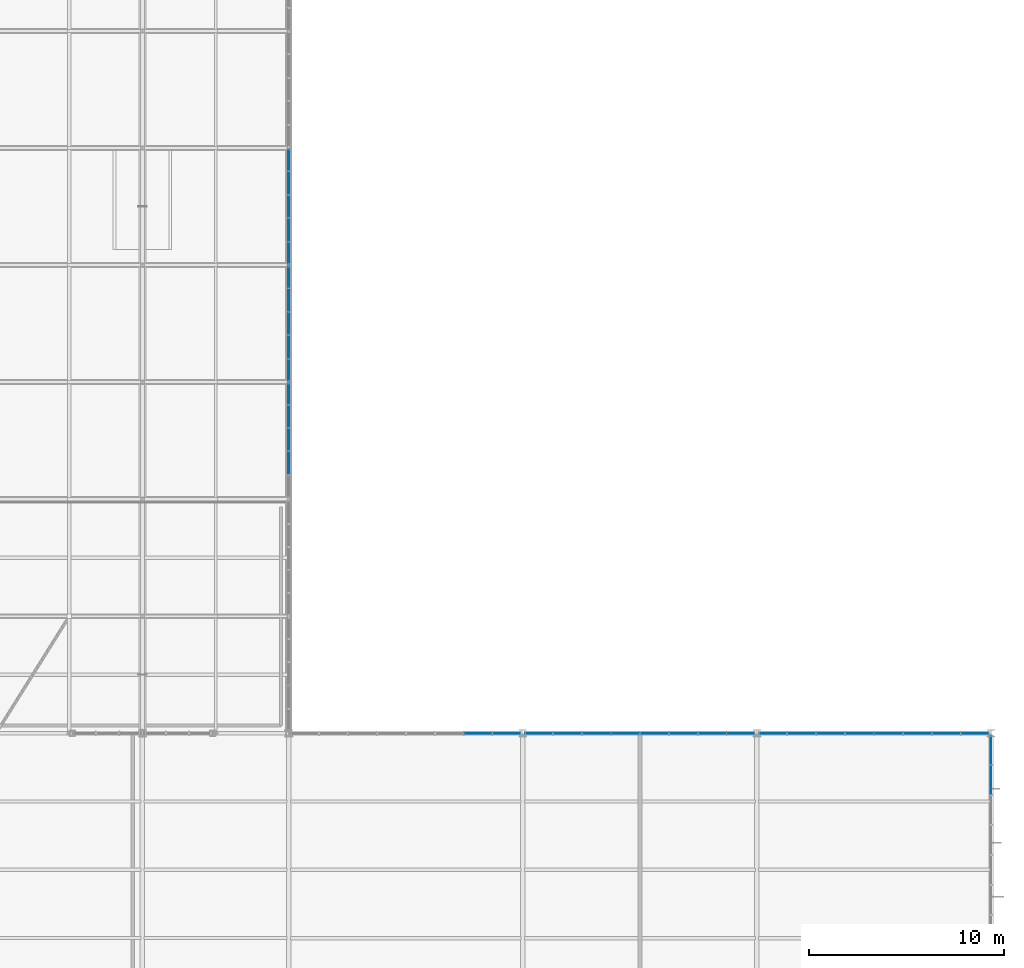
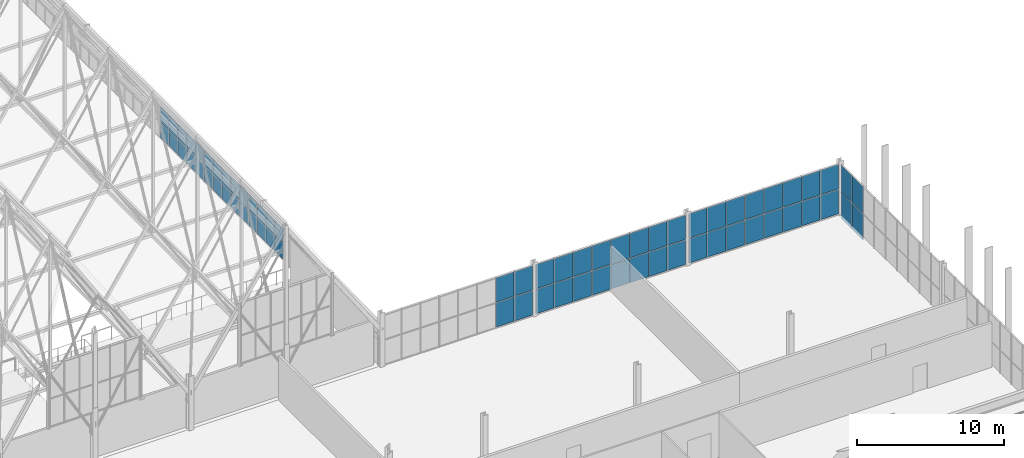
# One storey, part 285 of 324: 68 plates, 7 elements without a shape of their own.
"""IFC4 building model written with IfcOpenShell, lengths in metres."""

import ifcopenshell
import ifcopenshell.guid

model = None  # the IFC model being written
_history = None  # IfcOwnerHistory: only IFC2X3 demands one
_inside = {}  # id of a spatial element -> (the spatial element, [elements in it])
_under = {}  # id of a project, library or spatial element -> (it, [spatial elements below it])
_declared = {}  # id of a project -> (the project, [libraries it declares])
_typed = {}  # id of a type object -> (the type object, [elements of that type])
_made_of = {}  # id of a material, layer set ... -> (it, [elements and type objects made of it])


def new_model(schema):
    """Start an empty IFC model of exactly this schema.

    Asked for "IFC4X3", IfcOpenShell would pick the latest addendum, in which some entities
    have other attributes; the version numbers below select the first issue.
    IFC2X3 requires an IfcOwnerHistory on every rooted entity: one is made here for all.
    """
    global model, _history
    if schema == "IFC4X3":
        model = ifcopenshell.file(schema_version=(4, 3, 0, 0))
    else:
        model = ifcopenshell.file(schema=schema)
    _inside.clear()
    _under.clear()
    _declared.clear()
    _typed.clear()
    _made_of.clear()
    _history = None
    if model.schema == "IFC2X3":
        org = make("IfcOrganization", Name="unknown")
        user = make(
            "IfcPersonAndOrganization",
            ThePerson=make("IfcPerson", FamilyName="unknown"),
            TheOrganization=org,
        )
        app = make(
            "IfcApplication",
            ApplicationDeveloper=org,
            Version="unknown",
            ApplicationFullName="unknown",
            ApplicationIdentifier="unknown",
        )
        _history = make(
            "IfcOwnerHistory",
            OwningUser=user,
            OwningApplication=app,
            ChangeAction="ADDED",
            CreationDate=0,
        )
    return model


def make(cls, **values):
    """One entity of the class cls with the attributes given. An attribute that is None is left unset."""
    return model.create_entity(
        cls, **{name: value for name, value in values.items() if value is not None}
    )


def rooted(cls, **values):
    """An entity with a GlobalId (a new one), such as an element, a storey or a relation."""
    return make(cls, GlobalId=ifcopenshell.guid.new(), OwnerHistory=_history, **values)


def si_unit(unit_type, name, prefix=None):
    """IfcSIUnit, for example si_unit("LENGTHUNIT", "METRE", prefix="MILLI")."""
    return make("IfcSIUnit", UnitType=unit_type, Prefix=prefix, Name=name)


def assignment(units):
    """IfcUnitAssignment: the units of a project."""
    return None if units is None else make("IfcUnitAssignment", Units=units)


def point(xyz):
    """IfcCartesianPoint."""
    return None if xyz is None else make("IfcCartesianPoint", Coordinates=xyz)


def direction(xyz):
    """IfcDirection."""
    return None if xyz is None else make("IfcDirection", DirectionRatios=xyz)


def frame(location, z_axis=None, x_axis=None):
    """IfcAxis2Placement3D, a coordinate frame: its origin and axes. An axis left out is left unset."""
    return make(
        "IfcAxis2Placement3D",
        Location=point(location),
        Axis=direction(z_axis),
        RefDirection=direction(x_axis),
    )


def frame_2d(location, x_axis=None):
    """IfcAxis2Placement2D, a coordinate frame in the plane: its origin and x axis."""
    return make(
        "IfcAxis2Placement2D", Location=point(location), RefDirection=direction(x_axis)
    )


def origin():
    """The frame at (0, 0, 0) with its axes left unset."""
    return frame((0.0, 0.0, 0.0))


def origin_2d():
    """The frame at (0, 0) in the plane with its x axis left unset."""
    return frame_2d((0.0, 0.0))


def place(relative_to, where):
    """IfcLocalPlacement: puts the frame where relative to a parent placement (None: the world)."""
    return make(
        "IfcLocalPlacement", PlacementRelTo=relative_to, RelativePlacement=where
    )


def context(
    kind, dimensions, precision=None, world=None, true_north=None, identifier=None
):
    """IfcGeometricRepresentationContext, for example the 3D "Model" context."""
    return make(
        "IfcGeometricRepresentationContext",
        ContextIdentifier=identifier,
        ContextType=kind,
        CoordinateSpaceDimension=dimensions,
        Precision=precision,
        WorldCoordinateSystem=world,
        TrueNorth=true_north,
    )


def subcontext(parent, identifier, kind, view, scale=None):
    """IfcGeometricRepresentationSubContext, for example "Body" below "Model"."""
    return make(
        "IfcGeometricRepresentationSubContext",
        ContextIdentifier=identifier,
        ContextType=kind,
        ParentContext=parent,
        TargetScale=scale,
        TargetView=view,
    )


def project(units=None, contexts=None):
    """IfcProject with its units and contexts."""
    return rooted(
        "IfcProject",
        Name="project",
        RepresentationContexts=contexts,
        UnitsInContext=assignment(units),
    )


def spatial(cls, under=None, at=None, **own):
    """A site, building, storey or space (cls), placed at a placement, below another one or the project."""
    s = rooted(cls, ObjectPlacement=at, **own)
    if under is not None:
        _under.setdefault(under.id(), (under, []))[1].append(s)
    return s


def profile(cls, at=None, kind="AREA", **sizes):
    """A parametric profile (cls). Its sizes go by their IFC names, for example OverallWidth=200.0."""
    return make(cls, ProfileType=kind, Position=at, **sizes)


def rectangle(**sizes):
    """IfcRectangleProfileDef."""
    return profile("IfcRectangleProfileDef", **sizes)


def extrude(swept, where, along, depth):
    """IfcExtrudedAreaSolid: the profile swept, set in the frame where, extruded along a direction by depth."""
    return make(
        "IfcExtrudedAreaSolid",
        SweptArea=swept,
        Position=where,
        ExtrudedDirection=direction(along),
        Depth=depth,
    )


def shape(context_of_items, identifier, shape_type, items):
    """IfcShapeRepresentation: the items that make up one representation, for example the "Body"."""
    return make(
        "IfcShapeRepresentation",
        ContextOfItems=context_of_items,
        RepresentationIdentifier=identifier,
        RepresentationType=shape_type,
        Items=items,
    )


def material(Name=None, Category=None):
    """IfcMaterial."""
    return make("IfcMaterial", Name=Name, Category=Category)


def layer(
    of_material, thickness, ventilated=None, Name=None, Category=None, Priority=None
):
    """IfcMaterialLayer: one layer of a wall or slab, of a material (None: an air gap)."""
    return make(
        "IfcMaterialLayer",
        Material=of_material,
        LayerThickness=thickness,
        IsVentilated=ventilated,
        Name=Name,
        Category=Category,
        Priority=Priority,
    )


def layer_set(layers, Name=None):
    """IfcMaterialLayerSet."""
    return make("IfcMaterialLayerSet", MaterialLayers=layers, LayerSetName=Name)


def made_of(thing, what):
    """Note that an element or type object is made of a material, layer set ...; save() writes the relation."""
    if what is not None:
        _made_of.setdefault(what.id(), (what, []))[1].append(thing)
    return thing


def type_object(cls, material=None, **own):
    """A type object (cls), such as IfcWallType, which elements share."""
    return made_of(rooted(cls, **own), material)


def element(
    cls,
    number,
    at=None,
    inside=None,
    cuts=None,
    type_object=None,
    material=None,
    context=None,
    identifier="Body",
    shape_type=None,
    held_by="IfcProductDefinitionShape",
    body=None,
    shapes=None,
    **own,
):
    """One element of the class cls, such as IfcWall. Its Tag is "e" and its number.

    at: its placement. inside: the storey or other place that contains it. cuts: it is an
    opening in that element (IfcRelVoidsElement). A single representation is given by context,
    identifier, shape_type and body (its items); several are given by shapes. held_by: the class
    of the entity that holds the representations. save() writes the other relations.
    """
    e = rooted(cls, Tag="e%d" % number, ObjectPlacement=at, **own)
    if body is not None:
        shapes = [shape(context, identifier, shape_type, body)]
    if shapes is not None:
        e.Representation = make(held_by, Representations=shapes)
    if inside is not None:
        _inside.setdefault(inside.id(), (inside, []))[1].append(e)
    if cuts is not None:
        rooted(
            "IfcRelVoidsElement", RelatingBuildingElement=cuts, RelatedOpeningElement=e
        )
    if type_object is not None:
        _typed.setdefault(type_object.id(), (type_object, []))[1].append(e)
    return made_of(e, material)


def aggregate(whole, parts):
    """IfcRelAggregates: a whole, such as a stair, and the parts it consists of."""
    return rooted("IfcRelAggregates", RelatingObject=whole, RelatedObjects=parts)


def save(model, path):
    """Write the relations noted so far, then the file.

    IfcRelAggregates (storeys below a building ...), IfcRelContainedInSpatialStructure (elements
    in a storey), IfcRelDefinesByType, IfcRelAssociatesMaterial and IfcRelDeclares: one each for
    every whole, place, type object, material and project.
    """
    for whole, parts in _under.values():
        aggregate(whole, parts)
    for where, things in _inside.values():
        rooted(
            "IfcRelContainedInSpatialStructure",
            RelatedElements=things,
            RelatingStructure=where,
        )
    for kind, things in _typed.values():
        rooted("IfcRelDefinesByType", RelatedObjects=things, RelatingType=kind)
    for what, things in _made_of.values():
        rooted("IfcRelAssociatesMaterial", RelatedObjects=things, RelatingMaterial=what)
    for by, libraries in _declared.values():
        rooted("IfcRelDeclares", RelatingContext=by, RelatedDefinitions=libraries)
    model.write(path)


model = new_model("IFC4")

# Units and contexts
model_context = context("Model", 3, precision=1e-05, world=origin(), true_north=direction((0.0, 1.0)))
body_context = subcontext(model_context, "Body", "Model", "MODEL_VIEW")
ifc_project = project(units=[si_unit("LENGTHUNIT", "METRE"), si_unit("AREAUNIT", "SQUARE_METRE"), si_unit("VOLUMEUNIT", "CUBIC_METRE"), si_unit("PLANEANGLEUNIT", "RADIAN"), si_unit("MASSUNIT", "GRAM", prefix="KILO")], contexts=[model_context])

# Site, building, storey
site_placement = place(None, origin())
site = spatial("IfcSite", under=ifc_project, at=site_placement, CompositionType="ELEMENT")
building_placement = place(site_placement, origin())
building = spatial("IfcBuilding", under=site, at=building_placement, Name="Solvenia Promenade Tram Depot", CompositionType="ELEMENT")
storey_placement = place(building_placement, frame((0.0, 0.0, 4.5)))
storey = spatial("IfcBuildingStorey", under=building, at=storey_placement, Name="L01", CompositionType="ELEMENT", Elevation=4.5)

# Curtain wall, plates
ifc_material_1 = material(Name="Anodized aluminium AW-6063 T6", Category="aluminium")
ifc_layer_1 = layer(ifc_material_1, 0.159912109375, Name="Anodized aluminium AW-6063 T6", Category="aluminium")
ifc_layer_set_1 = layer_set([ifc_layer_1], Name="Anodized aluminium AW-6063 T6")
curtain_wall_type_1 = type_object("IfcCurtainWallType", Name="CW-Channel-1200", PredefinedType="NOTDEFINED", material=ifc_layer_set_1)
curtain_wall_1_placement = place(storey_placement, origin())
curtain_wall_1 = element("IfcCurtainWall", 1, at=curtain_wall_1_placement, inside=storey, type_object=curtain_wall_type_1, Name="Curtain Wall CW-V1E-03", PredefinedType="NOTDEFINED")
ifc_material_2 = material(Name="Low-iron translucent U-profile channel glass", Category="glass")
ifc_layer_2 = layer(ifc_material_2, 0.028076171875, Name="Low-iron translucent U-profile channel glass", Category="glass")
ifc_layer_set_2 = layer_set([ifc_layer_2], Name="Low-iron translucent U-profile channel glass")
plate_type_1 = type_object("IfcPlateType", Name="CWP-Panel-1", PredefinedType="CURTAIN_PANEL", material=ifc_layer_set_2)
plate_1_placement = place(storey_placement, frame((150.0, 79.85595703125, 0.759765625), z_axis=(0.0, 0.0, 1.0), x_axis=(0.0, 1.0, 0.0)))
plate_1 = element("IfcPlate", 2, at=plate_1_placement, type_object=plate_type_1, Name="CW-1 panel 2.1", PredefinedType="CURTAIN_PANEL", context=body_context, shape_type="SweptSolid", body=[
    extrude(rectangle(XDim=1.132080078125, YDim=0.028076171875, at=origin_2d()), origin(), (0.0, 0.0, 1.0), 1.260009765625),
])
plate_2_placement = place(storey_placement, frame((150.0, 79.85595703125, 2.080078125), z_axis=(0.0, 0.0, 1.0), x_axis=(0.0, 1.0, 0.0)))
plate_2 = element("IfcPlate", 3, at=plate_2_placement, type_object=plate_type_1, Name="CW-1 panel 2.2", PredefinedType="CURTAIN_PANEL", context=body_context, shape_type="SweptSolid", body=[
    extrude(rectangle(XDim=1.132080078125, YDim=0.028076171875, at=origin_2d()), origin(), (0.0, 0.0, 1.0), 1.260009765625),
])
plate_3_placement = place(storey_placement, frame((150.0, 81.0400390625, 0.759765625), z_axis=(0.0, 0.0, 1.0), x_axis=(0.0, 1.0, 0.0)))
plate_3 = element("IfcPlate", 4, at=plate_3_placement, type_object=plate_type_1, Name="CW-1 panel 3.1", PredefinedType="CURTAIN_PANEL", context=body_context, shape_type="SweptSolid", body=[
    extrude(rectangle(XDim=1.132080078125, YDim=0.028076171875, at=origin_2d()), origin(), (0.0, 0.0, 1.0), 1.260009765625),
])
plate_4_placement = place(storey_placement, frame((150.0, 81.0400390625, 2.080078125), z_axis=(0.0, 0.0, 1.0), x_axis=(0.0, 1.0, 0.0)))
plate_4 = element("IfcPlate", 5, at=plate_4_placement, type_object=plate_type_1, Name="CW-1 panel 3.2", PredefinedType="CURTAIN_PANEL", context=body_context, shape_type="SweptSolid", body=[
    extrude(rectangle(XDim=1.132080078125, YDim=0.028076171875, at=origin_2d()), origin(), (0.0, 0.0, 1.0), 1.260009765625),
])
plate_5_placement = place(storey_placement, frame((150.0, 82.22412109375, 0.759765625), z_axis=(0.0, 0.0, 1.0), x_axis=(0.0, 1.0, 0.0)))
plate_5 = element("IfcPlate", 6, at=plate_5_placement, type_object=plate_type_1, Name="CW-1 panel 4.1", PredefinedType="CURTAIN_PANEL", context=body_context, shape_type="SweptSolid", body=[
    extrude(rectangle(XDim=1.132080078125, YDim=0.028076171875, at=origin_2d()), origin(), (0.0, 0.0, 1.0), 1.260009765625),
])
plate_6_placement = place(storey_placement, frame((150.0, 82.22412109375, 2.080078125), z_axis=(0.0, 0.0, 1.0), x_axis=(0.0, 1.0, 0.0)))
plate_6 = element("IfcPlate", 7, at=plate_6_placement, type_object=plate_type_1, Name="CW-1 panel 4.2", PredefinedType="CURTAIN_PANEL", context=body_context, shape_type="SweptSolid", body=[
    extrude(rectangle(XDim=1.132080078125, YDim=0.028076171875, at=origin_2d()), origin(), (0.0, 0.0, 1.0), 1.260009765625),
])
plate_7_placement = place(storey_placement, frame((150.0, 83.39501953125, 0.759765625), z_axis=(0.0, 0.0, 1.0), x_axis=(0.0, 1.0, 0.0)))
plate_7 = element("IfcPlate", 8, at=plate_7_placement, type_object=plate_type_1, Name="CW-1 panel 5.1", PredefinedType="CURTAIN_PANEL", context=body_context, shape_type="SweptSolid", body=[
    extrude(rectangle(XDim=1.10595703125, YDim=0.028076171875, at=origin_2d()), origin(), (0.0, 0.0, 1.0), 1.260009765625),
])
plate_8_placement = place(storey_placement, frame((150.0, 83.39501953125, 2.080078125), z_axis=(0.0, 0.0, 1.0), x_axis=(0.0, 1.0, 0.0)))
plate_8 = element("IfcPlate", 9, at=plate_8_placement, type_object=plate_type_1, Name="CW-1 panel 5.2", PredefinedType="CURTAIN_PANEL", context=body_context, shape_type="SweptSolid", body=[
    extrude(rectangle(XDim=1.10595703125, YDim=0.028076171875, at=origin_2d()), origin(), (0.0, 0.0, 1.0), 1.260009765625),
])
aggregate(curtain_wall_1, [plate_1, plate_2, plate_3, plate_4, plate_5, plate_6, plate_7, plate_8])

curtain_wall_2_placement = place(storey_placement, origin())
curtain_wall_2 = element("IfcCurtainWall", 10, at=curtain_wall_2_placement, inside=storey, type_object=curtain_wall_type_1, Name="Curtain Wall CW-V1E-04", PredefinedType="NOTDEFINED")
plate_9_placement = place(storey_placement, frame((150.0, 84.613037109375, 0.759765625), z_axis=(0.0, 0.0, 1.0), x_axis=(0.0, 1.0, 0.0)))
plate_9 = element("IfcPlate", 11, at=plate_9_placement, type_object=plate_type_1, Name="CW-1 panel 1.1", PredefinedType="CURTAIN_PANEL", context=body_context, shape_type="SweptSolid", body=[
    extrude(rectangle(XDim=1.1220703125, YDim=0.028076171875, at=origin_2d()), origin(), (0.0, 0.0, 1.0), 1.260009765625),
])
plate_10_placement = place(storey_placement, frame((150.0, 84.613037109375, 2.080078125), z_axis=(0.0, 0.0, 1.0), x_axis=(0.0, 1.0, 0.0)))
plate_10 = element("IfcPlate", 12, at=plate_10_placement, type_object=plate_type_1, Name="CW-1 panel 1.2", PredefinedType="CURTAIN_PANEL", context=body_context, shape_type="SweptSolid", body=[
    extrude(rectangle(XDim=1.1220703125, YDim=0.028076171875, at=origin_2d()), origin(), (0.0, 0.0, 1.0), 1.260009765625),
])
plate_11_placement = place(storey_placement, frame((150.0, 85.800048828125, 0.759765625), z_axis=(0.0, 0.0, 1.0), x_axis=(0.0, 1.0, 0.0)))
plate_11 = element("IfcPlate", 13, at=plate_11_placement, type_object=plate_type_1, Name="CW-1 panel 2.1", PredefinedType="CURTAIN_PANEL", context=body_context, shape_type="SweptSolid", body=[
    extrude(rectangle(XDim=1.14794921875, YDim=0.028076171875, at=origin_2d()), origin(), (0.0, 0.0, 1.0), 1.260009765625),
])
plate_12_placement = place(storey_placement, frame((150.0, 85.800048828125, 2.080078125), z_axis=(0.0, 0.0, 1.0), x_axis=(0.0, 1.0, 0.0)))
plate_12 = element("IfcPlate", 14, at=plate_12_placement, type_object=plate_type_1, Name="CW-1 panel 2.2", PredefinedType="CURTAIN_PANEL", context=body_context, shape_type="SweptSolid", body=[
    extrude(rectangle(XDim=1.14794921875, YDim=0.028076171875, at=origin_2d()), origin(), (0.0, 0.0, 1.0), 1.260009765625),
])
plate_13_placement = place(storey_placement, frame((150.0, 87.0, 0.759765625), z_axis=(0.0, 0.0, 1.0), x_axis=(0.0, 1.0, 0.0)))
plate_13 = element("IfcPlate", 15, at=plate_13_placement, type_object=plate_type_1, Name="CW-1 panel 3.1", PredefinedType="CURTAIN_PANEL", context=body_context, shape_type="SweptSolid", body=[
    extrude(rectangle(XDim=1.14794921875, YDim=0.028076171875, at=origin_2d()), origin(), (0.0, 0.0, 1.0), 1.260009765625),
])
plate_14_placement = place(storey_placement, frame((150.0, 87.0, 2.080078125), z_axis=(0.0, 0.0, 1.0), x_axis=(0.0, 1.0, 0.0)))
plate_14 = element("IfcPlate", 16, at=plate_14_placement, type_object=plate_type_1, Name="CW-1 panel 3.2", PredefinedType="CURTAIN_PANEL", context=body_context, shape_type="SweptSolid", body=[
    extrude(rectangle(XDim=1.14794921875, YDim=0.028076171875, at=origin_2d()), origin(), (0.0, 0.0, 1.0), 1.260009765625),
])
plate_15_placement = place(storey_placement, frame((150.0, 88.199951171875, 0.759765625), z_axis=(0.0, 0.0, 1.0), x_axis=(0.0, 1.0, 0.0)))
plate_15 = element("IfcPlate", 17, at=plate_15_placement, type_object=plate_type_1, Name="CW-1 panel 4.1", PredefinedType="CURTAIN_PANEL", context=body_context, shape_type="SweptSolid", body=[
    extrude(rectangle(XDim=1.14794921875, YDim=0.028076171875, at=origin_2d()), origin(), (0.0, 0.0, 1.0), 1.260009765625),
])
plate_16_placement = place(storey_placement, frame((150.0, 88.199951171875, 2.080078125), z_axis=(0.0, 0.0, 1.0), x_axis=(0.0, 1.0, 0.0)))
plate_16 = element("IfcPlate", 18, at=plate_16_placement, type_object=plate_type_1, Name="CW-1 panel 4.2", PredefinedType="CURTAIN_PANEL", context=body_context, shape_type="SweptSolid", body=[
    extrude(rectangle(XDim=1.14794921875, YDim=0.028076171875, at=origin_2d()), origin(), (0.0, 0.0, 1.0), 1.260009765625),
])
plate_17_placement = place(storey_placement, frame((150.0, 89.386962890625, 0.759765625), z_axis=(0.0, 0.0, 1.0), x_axis=(0.0, 1.0, 0.0)))
plate_17 = element("IfcPlate", 19, at=plate_17_placement, type_object=plate_type_1, Name="CW-1 panel 5.1", PredefinedType="CURTAIN_PANEL", context=body_context, shape_type="SweptSolid", body=[
    extrude(rectangle(XDim=1.1220703125, YDim=0.028076171875, at=origin_2d()), origin(), (0.0, 0.0, 1.0), 1.260009765625),
])
plate_18_placement = place(storey_placement, frame((150.0, 89.386962890625, 2.080078125), z_axis=(0.0, 0.0, 1.0), x_axis=(0.0, 1.0, 0.0)))
plate_18 = element("IfcPlate", 20, at=plate_18_placement, type_object=plate_type_1, Name="CW-1 panel 5.2", PredefinedType="CURTAIN_PANEL", context=body_context, shape_type="SweptSolid", body=[
    extrude(rectangle(XDim=1.1220703125, YDim=0.028076171875, at=origin_2d()), origin(), (0.0, 0.0, 1.0), 1.260009765625),
])
aggregate(curtain_wall_2, [plate_9, plate_10, plate_11, plate_12, plate_13, plate_14, plate_15, plate_16, plate_17, plate_18])

curtain_wall_3_placement = place(storey_placement, origin())
curtain_wall_3 = element("IfcCurtainWall", 21, at=curtain_wall_3_placement, inside=storey, type_object=curtain_wall_type_1, Name="Curtain Wall CW-V1E-05", PredefinedType="NOTDEFINED")
plate_19_placement = place(storey_placement, frame((150.0, 90.613037109375, 0.759765625), z_axis=(0.0, 0.0, 1.0), x_axis=(0.0, 1.0, 0.0)))
plate_19 = element("IfcPlate", 22, at=plate_19_placement, type_object=plate_type_1, Name="CW-1 panel 1.1", PredefinedType="CURTAIN_PANEL", context=body_context, shape_type="SweptSolid", body=[
    extrude(rectangle(XDim=1.1220703125, YDim=0.028076171875, at=origin_2d()), origin(), (0.0, 0.0, 1.0), 1.260009765625),
])
plate_20_placement = place(storey_placement, frame((150.0, 90.613037109375, 2.080078125), z_axis=(0.0, 0.0, 1.0), x_axis=(0.0, 1.0, 0.0)))
plate_20 = element("IfcPlate", 23, at=plate_20_placement, type_object=plate_type_1, Name="CW-1 panel 1.2", PredefinedType="CURTAIN_PANEL", context=body_context, shape_type="SweptSolid", body=[
    extrude(rectangle(XDim=1.1220703125, YDim=0.028076171875, at=origin_2d()), origin(), (0.0, 0.0, 1.0), 1.260009765625),
])
plate_21_placement = place(storey_placement, frame((150.0, 91.800048828125, 0.759765625), z_axis=(0.0, 0.0, 1.0), x_axis=(0.0, 1.0, 0.0)))
plate_21 = element("IfcPlate", 24, at=plate_21_placement, type_object=plate_type_1, Name="CW-1 panel 2.1", PredefinedType="CURTAIN_PANEL", context=body_context, shape_type="SweptSolid", body=[
    extrude(rectangle(XDim=1.14794921875, YDim=0.028076171875, at=origin_2d()), origin(), (0.0, 0.0, 1.0), 1.260009765625),
])
plate_22_placement = place(storey_placement, frame((150.0, 91.800048828125, 2.080078125), z_axis=(0.0, 0.0, 1.0), x_axis=(0.0, 1.0, 0.0)))
plate_22 = element("IfcPlate", 25, at=plate_22_placement, type_object=plate_type_1, Name="CW-1 panel 2.2", PredefinedType="CURTAIN_PANEL", context=body_context, shape_type="SweptSolid", body=[
    extrude(rectangle(XDim=1.14794921875, YDim=0.028076171875, at=origin_2d()), origin(), (0.0, 0.0, 1.0), 1.260009765625),
])
plate_23_placement = place(storey_placement, frame((150.0, 93.0, 0.759765625), z_axis=(0.0, 0.0, 1.0), x_axis=(0.0, 1.0, 0.0)))
plate_23 = element("IfcPlate", 26, at=plate_23_placement, type_object=plate_type_1, Name="CW-1 panel 3.1", PredefinedType="CURTAIN_PANEL", context=body_context, shape_type="SweptSolid", body=[
    extrude(rectangle(XDim=1.14794921875, YDim=0.028076171875, at=origin_2d()), origin(), (0.0, 0.0, 1.0), 1.260009765625),
])
plate_24_placement = place(storey_placement, frame((150.0, 93.0, 2.080078125), z_axis=(0.0, 0.0, 1.0), x_axis=(0.0, 1.0, 0.0)))
plate_24 = element("IfcPlate", 27, at=plate_24_placement, type_object=plate_type_1, Name="CW-1 panel 3.2", PredefinedType="CURTAIN_PANEL", context=body_context, shape_type="SweptSolid", body=[
    extrude(rectangle(XDim=1.14794921875, YDim=0.028076171875, at=origin_2d()), origin(), (0.0, 0.0, 1.0), 1.260009765625),
])
plate_25_placement = place(storey_placement, frame((150.0, 94.199951171875, 0.759765625), z_axis=(0.0, 0.0, 1.0), x_axis=(0.0, 1.0, 0.0)))
plate_25 = element("IfcPlate", 28, at=plate_25_placement, type_object=plate_type_1, Name="CW-1 panel 4.1", PredefinedType="CURTAIN_PANEL", context=body_context, shape_type="SweptSolid", body=[
    extrude(rectangle(XDim=1.14794921875, YDim=0.028076171875, at=origin_2d()), origin(), (0.0, 0.0, 1.0), 1.260009765625),
])
plate_26_placement = place(storey_placement, frame((150.0, 94.199951171875, 2.080078125), z_axis=(0.0, 0.0, 1.0), x_axis=(0.0, 1.0, 0.0)))
plate_26 = element("IfcPlate", 29, at=plate_26_placement, type_object=plate_type_1, Name="CW-1 panel 4.2", PredefinedType="CURTAIN_PANEL", context=body_context, shape_type="SweptSolid", body=[
    extrude(rectangle(XDim=1.14794921875, YDim=0.028076171875, at=origin_2d()), origin(), (0.0, 0.0, 1.0), 1.260009765625),
])
plate_27_placement = place(storey_placement, frame((150.0, 95.386962890625, 0.759765625), z_axis=(0.0, 0.0, 1.0), x_axis=(0.0, 1.0, 0.0)))
plate_27 = element("IfcPlate", 30, at=plate_27_placement, type_object=plate_type_1, Name="CW-1 panel 5.1", PredefinedType="CURTAIN_PANEL", context=body_context, shape_type="SweptSolid", body=[
    extrude(rectangle(XDim=1.1220703125, YDim=0.028076171875, at=origin_2d()), origin(), (0.0, 0.0, 1.0), 1.260009765625),
])
plate_28_placement = place(storey_placement, frame((150.0, 95.386962890625, 2.080078125), z_axis=(0.0, 0.0, 1.0), x_axis=(0.0, 1.0, 0.0)))
plate_28 = element("IfcPlate", 31, at=plate_28_placement, type_object=plate_type_1, Name="CW-1 panel 5.2", PredefinedType="CURTAIN_PANEL", context=body_context, shape_type="SweptSolid", body=[
    extrude(rectangle(XDim=1.1220703125, YDim=0.028076171875, at=origin_2d()), origin(), (0.0, 0.0, 1.0), 1.260009765625),
])
aggregate(curtain_wall_3, [plate_19, plate_20, plate_21, plate_22, plate_23, plate_24, plate_25, plate_26, plate_27, plate_28])

ifc_layer_3 = layer(ifc_material_1, 0.080078125, Name="Anodized aluminium AW-6063 T6", Category="aluminium")
ifc_layer_set_3 = layer_set([ifc_layer_3], Name="Anodized aluminium AW-6063 T6")
curtain_wall_type_2 = type_object("IfcCurtainWallType", Name="CW-Clerest-1500", PredefinedType="NOTDEFINED", material=ifc_layer_set_3)
curtain_wall_4_placement = place(storey_placement, origin())
curtain_wall_4 = element("IfcCurtainWall", 32, at=curtain_wall_4_placement, inside=storey, type_object=curtain_wall_type_2, Name="Curtain Wall CW-V2E-L1-3", PredefinedType="NOTDEFINED")
ifc_material_3 = material(Name="Double low-e argon insulated glass", Category="glass")
ifc_layer_4 = layer(ifc_material_3, 0.031982421875, Name="Double low-e argon insulated glass", Category="glass")
ifc_layer_set_4 = layer_set([ifc_layer_4], Name="Double low-e argon insulated glass")
plate_type_2 = type_object("IfcPlateType", Name="CWP-Panel-2", PredefinedType="CURTAIN_PANEL", material=ifc_layer_set_4)
plate_29_placement = place(storey_placement, frame((186.0, 63.61328125, -0.294921875), z_axis=(0.0, 0.0, 1.0), x_axis=(0.0, 1.0, 0.0)))
plate_29 = element("IfcPlate", 33, at=plate_29_placement, type_object=plate_type_2, Name="CW-4 panel 8.1", PredefinedType="CURTAIN_PANEL", context=body_context, shape_type="SweptSolid", body=[
    extrude(rectangle(XDim=1.482666015625, YDim=0.031982421875, at=origin_2d()), origin(), (0.0, 0.0, 1.0), 2.16748046875),
])
plate_30_placement = place(storey_placement, frame((186.0, 63.61328125, 1.92724609375), z_axis=(0.0, 0.0, 1.0), x_axis=(0.0, 1.0, 0.0)))
plate_30 = element("IfcPlate", 34, at=plate_30_placement, type_object=plate_type_2, Name="CW-4 panel 8.2", PredefinedType="CURTAIN_PANEL", context=body_context, shape_type="SweptSolid", body=[
    extrude(rectangle(XDim=1.482666015625, YDim=0.031982421875, at=origin_2d()), origin(), (0.0, 0.0, 1.0), 2.217529296875),
])
plate_31_placement = place(storey_placement, frame((186.0, 65.137451171875, -0.294921875), z_axis=(0.0, 0.0, 1.0), x_axis=(0.0, 1.0, 0.0)))
plate_31 = element("IfcPlate", 35, at=plate_31_placement, type_object=plate_type_2, Name="CW-4 panel 9.1", PredefinedType="CURTAIN_PANEL", context=body_context, shape_type="SweptSolid", body=[
    extrude(rectangle(XDim=1.455322265625, YDim=0.031982421875, at=origin_2d()), origin(), (0.0, 0.0, 1.0), 2.16748046875),
])
plate_32_placement = place(storey_placement, frame((186.0, 65.137451171875, 1.92724609375), z_axis=(0.0, 0.0, 1.0), x_axis=(0.0, 1.0, 0.0)))
plate_32 = element("IfcPlate", 36, at=plate_32_placement, type_object=plate_type_2, Name="CW-4 panel 9.2", PredefinedType="CURTAIN_PANEL", context=body_context, shape_type="SweptSolid", body=[
    extrude(rectangle(XDim=1.455322265625, YDim=0.031982421875, at=origin_2d()), origin(), (0.0, 0.0, 1.0), 2.217529296875),
])
aggregate(curtain_wall_4, [plate_29, plate_30, plate_31, plate_32])

curtain_wall_5_placement = place(storey_placement, origin())
curtain_wall_5 = element("IfcCurtainWall", 37, at=curtain_wall_5_placement, inside=storey, type_object=curtain_wall_type_2, Name="Curtain Wall CW-V2N-L1-150", PredefinedType="NOTDEFINED")
ifc_layer_5 = layer(ifc_material_3, 0.035888671875, Name="Double low-e argon insulated glass", Category="glass")
ifc_layer_set_5 = layer_set([ifc_layer_5], Name="Double low-e argon insulated glass")
plate_type_3 = type_object("IfcPlateType", Name="CWP-Panel-3", PredefinedType="CURTAIN_PANEL", material=ifc_layer_set_5)
plate_33_placement = place(storey_placement, frame((159.699951171875, 66.0, 0.05810546875), z_axis=(0.0, 0.0, 1.0), x_axis=(1.0, 0.0, 0.0)))
plate_33 = element("IfcPlate", 38, at=plate_33_placement, type_object=plate_type_3, Name="CW-4 panel 7.1", PredefinedType="CURTAIN_PANEL", context=body_context, shape_type="SweptSolid", body=[
    extrude(rectangle(XDim=1.431884765625, YDim=0.035888671875, at=origin_2d()), origin(), (0.0, 0.0, 1.0), 2.012939453125),
])
plate_34_placement = place(storey_placement, frame((159.699951171875, 66.0, 2.12890625), z_axis=(0.0, 0.0, 1.0), x_axis=(1.0, 0.0, 0.0)))
plate_34 = element("IfcPlate", 39, at=plate_34_placement, type_object=plate_type_3, Name="CW-4 panel 7.2", PredefinedType="CURTAIN_PANEL", context=body_context, shape_type="SweptSolid", body=[
    extrude(rectangle(XDim=1.431884765625, YDim=0.035888671875, at=origin_2d()), origin(), (0.0, 0.0, 1.0), 2.012939453125),
])
plate_35_placement = place(storey_placement, frame((161.16796875, 66.0, 0.05810546875), z_axis=(0.0, 0.0, 1.0), x_axis=(1.0, 0.0, 0.0)))
plate_35 = element("IfcPlate", 40, at=plate_35_placement, type_object=plate_type_3, Name="CW-4 panel 8.1", PredefinedType="CURTAIN_PANEL", context=body_context, shape_type="SweptSolid", body=[
    extrude(rectangle(XDim=1.407958984375, YDim=0.035888671875, at=origin_2d()), origin(), (0.0, 0.0, 1.0), 2.012939453125),
])
plate_36_placement = place(storey_placement, frame((161.16796875, 66.0, 2.12890625), z_axis=(0.0, 0.0, 1.0), x_axis=(1.0, 0.0, 0.0)))
plate_36 = element("IfcPlate", 41, at=plate_36_placement, type_object=plate_type_3, Name="CW-4 panel 8.2", PredefinedType="CURTAIN_PANEL", context=body_context, shape_type="SweptSolid", body=[
    extrude(rectangle(XDim=1.407958984375, YDim=0.035888671875, at=origin_2d()), origin(), (0.0, 0.0, 1.0), 2.012939453125),
])
aggregate(curtain_wall_5, [plate_33, plate_34, plate_35, plate_36])

curtain_wall_6_placement = place(storey_placement, origin())
curtain_wall_6 = element("IfcCurtainWall", 42, at=curtain_wall_6_placement, inside=storey, type_object=curtain_wall_type_2, Name="Curtain Wall CW-V2N-L1-162", PredefinedType="NOTDEFINED")
plate_37_placement = place(storey_placement, frame((162.83203125, 66.0, 0.05810546875), z_axis=(0.0, 0.0, 1.0), x_axis=(1.0, 0.0, 0.0)))
plate_37 = element("IfcPlate", 43, at=plate_37_placement, type_object=plate_type_3, Name="CW-4 panel 1.1", PredefinedType="CURTAIN_PANEL", context=body_context, shape_type="SweptSolid", body=[
    extrude(rectangle(XDim=1.407958984375, YDim=0.035888671875, at=origin_2d()), origin(), (0.0, 0.0, 1.0), 2.012939453125),
])
plate_38_placement = place(storey_placement, frame((162.83203125, 66.0, 2.12890625), z_axis=(0.0, 0.0, 1.0), x_axis=(1.0, 0.0, 0.0)))
plate_38 = element("IfcPlate", 44, at=plate_38_placement, type_object=plate_type_3, Name="CW-4 panel 1.2", PredefinedType="CURTAIN_PANEL", context=body_context, shape_type="SweptSolid", body=[
    extrude(rectangle(XDim=1.407958984375, YDim=0.035888671875, at=origin_2d()), origin(), (0.0, 0.0, 1.0), 2.012939453125),
])
plate_39_placement = place(storey_placement, frame((164.300048828125, 66.0, 0.05810546875), z_axis=(0.0, 0.0, 1.0), x_axis=(1.0, 0.0, 0.0)))
plate_39 = element("IfcPlate", 45, at=plate_39_placement, type_object=plate_type_3, Name="CW-4 panel 2.1", PredefinedType="CURTAIN_PANEL", context=body_context, shape_type="SweptSolid", body=[
    extrude(rectangle(XDim=1.431884765625, YDim=0.035888671875, at=origin_2d()), origin(), (0.0, 0.0, 1.0), 2.012939453125),
])
plate_40_placement = place(storey_placement, frame((164.300048828125, 66.0, 2.12890625), z_axis=(0.0, 0.0, 1.0), x_axis=(1.0, 0.0, 0.0)))
plate_40 = element("IfcPlate", 46, at=plate_40_placement, type_object=plate_type_3, Name="CW-4 panel 2.2", PredefinedType="CURTAIN_PANEL", context=body_context, shape_type="SweptSolid", body=[
    extrude(rectangle(XDim=1.431884765625, YDim=0.035888671875, at=origin_2d()), origin(), (0.0, 0.0, 1.0), 2.012939453125),
])
plate_41_placement = place(storey_placement, frame((165.780029296875, 66.0, 0.05810546875), z_axis=(0.0, 0.0, 1.0), x_axis=(1.0, 0.0, 0.0)))
plate_41 = element("IfcPlate", 47, at=plate_41_placement, type_object=plate_type_3, Name="CW-4 panel 3.1", PredefinedType="CURTAIN_PANEL", context=body_context, shape_type="SweptSolid", body=[
    extrude(rectangle(XDim=1.431884765625, YDim=0.035888671875, at=origin_2d()), origin(), (0.0, 0.0, 1.0), 2.012939453125),
])
plate_42_placement = place(storey_placement, frame((165.780029296875, 66.0, 2.12890625), z_axis=(0.0, 0.0, 1.0), x_axis=(1.0, 0.0, 0.0)))
plate_42 = element("IfcPlate", 48, at=plate_42_placement, type_object=plate_type_3, Name="CW-4 panel 3.2", PredefinedType="CURTAIN_PANEL", context=body_context, shape_type="SweptSolid", body=[
    extrude(rectangle(XDim=1.431884765625, YDim=0.035888671875, at=origin_2d()), origin(), (0.0, 0.0, 1.0), 2.012939453125),
])
plate_43_placement = place(storey_placement, frame((167.260009765625, 66.0, 0.05810546875), z_axis=(0.0, 0.0, 1.0), x_axis=(1.0, 0.0, 0.0)))
plate_43 = element("IfcPlate", 49, at=plate_43_placement, type_object=plate_type_3, Name="CW-4 panel 4.1", PredefinedType="CURTAIN_PANEL", context=body_context, shape_type="SweptSolid", body=[
    extrude(rectangle(XDim=1.431884765625, YDim=0.035888671875, at=origin_2d()), origin(), (0.0, 0.0, 1.0), 2.012939453125),
])
plate_44_placement = place(storey_placement, frame((167.260009765625, 66.0, 2.12890625), z_axis=(0.0, 0.0, 1.0), x_axis=(1.0, 0.0, 0.0)))
plate_44 = element("IfcPlate", 50, at=plate_44_placement, type_object=plate_type_3, Name="CW-4 panel 4.2", PredefinedType="CURTAIN_PANEL", context=body_context, shape_type="SweptSolid", body=[
    extrude(rectangle(XDim=1.431884765625, YDim=0.035888671875, at=origin_2d()), origin(), (0.0, 0.0, 1.0), 2.012939453125),
])
plate_45_placement = place(storey_placement, frame((168.739990234375, 66.0, 0.05810546875), z_axis=(0.0, 0.0, 1.0), x_axis=(1.0, 0.0, 0.0)))
plate_45 = element("IfcPlate", 51, at=plate_45_placement, type_object=plate_type_3, Name="CW-4 panel 5.1", PredefinedType="CURTAIN_PANEL", context=body_context, shape_type="SweptSolid", body=[
    extrude(rectangle(XDim=1.431884765625, YDim=0.035888671875, at=origin_2d()), origin(), (0.0, 0.0, 1.0), 2.012939453125),
])
plate_46_placement = place(storey_placement, frame((168.739990234375, 66.0, 2.12890625), z_axis=(0.0, 0.0, 1.0), x_axis=(1.0, 0.0, 0.0)))
plate_46 = element("IfcPlate", 52, at=plate_46_placement, type_object=plate_type_3, Name="CW-4 panel 5.2", PredefinedType="CURTAIN_PANEL", context=body_context, shape_type="SweptSolid", body=[
    extrude(rectangle(XDim=1.431884765625, YDim=0.035888671875, at=origin_2d()), origin(), (0.0, 0.0, 1.0), 2.012939453125),
])
plate_47_placement = place(storey_placement, frame((170.219970703125, 66.0, 0.05810546875), z_axis=(0.0, 0.0, 1.0), x_axis=(1.0, 0.0, 0.0)))
plate_47 = element("IfcPlate", 53, at=plate_47_placement, type_object=plate_type_3, Name="CW-4 panel 6.1", PredefinedType="CURTAIN_PANEL", context=body_context, shape_type="SweptSolid", body=[
    extrude(rectangle(XDim=1.431884765625, YDim=0.035888671875, at=origin_2d()), origin(), (0.0, 0.0, 1.0), 2.012939453125),
])
plate_48_placement = place(storey_placement, frame((170.219970703125, 66.0, 2.12890625), z_axis=(0.0, 0.0, 1.0), x_axis=(1.0, 0.0, 0.0)))
plate_48 = element("IfcPlate", 54, at=plate_48_placement, type_object=plate_type_3, Name="CW-4 panel 6.2", PredefinedType="CURTAIN_PANEL", context=body_context, shape_type="SweptSolid", body=[
    extrude(rectangle(XDim=1.431884765625, YDim=0.035888671875, at=origin_2d()), origin(), (0.0, 0.0, 1.0), 2.012939453125),
])
plate_49_placement = place(storey_placement, frame((171.699951171875, 66.0, 0.05810546875), z_axis=(0.0, 0.0, 1.0), x_axis=(1.0, 0.0, 0.0)))
plate_49 = element("IfcPlate", 55, at=plate_49_placement, type_object=plate_type_3, Name="CW-4 panel 7.1", PredefinedType="CURTAIN_PANEL", context=body_context, shape_type="SweptSolid", body=[
    extrude(rectangle(XDim=1.431884765625, YDim=0.035888671875, at=origin_2d()), origin(), (0.0, 0.0, 1.0), 2.012939453125),
])
plate_50_placement = place(storey_placement, frame((171.699951171875, 66.0, 2.12890625), z_axis=(0.0, 0.0, 1.0), x_axis=(1.0, 0.0, 0.0)))
plate_50 = element("IfcPlate", 56, at=plate_50_placement, type_object=plate_type_3, Name="CW-4 panel 7.2", PredefinedType="CURTAIN_PANEL", context=body_context, shape_type="SweptSolid", body=[
    extrude(rectangle(XDim=1.431884765625, YDim=0.035888671875, at=origin_2d()), origin(), (0.0, 0.0, 1.0), 2.012939453125),
])
plate_51_placement = place(storey_placement, frame((173.16796875, 66.0, 0.05810546875), z_axis=(0.0, 0.0, 1.0), x_axis=(1.0, 0.0, 0.0)))
plate_51 = element("IfcPlate", 57, at=plate_51_placement, type_object=plate_type_3, Name="CW-4 panel 8.1", PredefinedType="CURTAIN_PANEL", context=body_context, shape_type="SweptSolid", body=[
    extrude(rectangle(XDim=1.407958984375, YDim=0.035888671875, at=origin_2d()), origin(), (0.0, 0.0, 1.0), 2.012939453125),
])
plate_52_placement = place(storey_placement, frame((173.16796875, 66.0, 2.12890625), z_axis=(0.0, 0.0, 1.0), x_axis=(1.0, 0.0, 0.0)))
plate_52 = element("IfcPlate", 58, at=plate_52_placement, type_object=plate_type_3, Name="CW-4 panel 8.2", PredefinedType="CURTAIN_PANEL", context=body_context, shape_type="SweptSolid", body=[
    extrude(rectangle(XDim=1.407958984375, YDim=0.035888671875, at=origin_2d()), origin(), (0.0, 0.0, 1.0), 2.012939453125),
])
aggregate(curtain_wall_6, [plate_37, plate_38, plate_39, plate_40, plate_41, plate_42, plate_43, plate_44, plate_45, plate_46, plate_47, plate_48, plate_49, plate_50, plate_51, plate_52])

curtain_wall_7_placement = place(storey_placement, origin())
curtain_wall_7 = element("IfcCurtainWall", 59, at=curtain_wall_7_placement, inside=storey, type_object=curtain_wall_type_2, Name="Curtain Wall CW-V2N-L1-174", PredefinedType="NOTDEFINED")
plate_53_placement = place(storey_placement, frame((174.83203125, 66.0, 0.05810546875), z_axis=(0.0, 0.0, 1.0), x_axis=(1.0, 0.0, 0.0)))
plate_53 = element("IfcPlate", 60, at=plate_53_placement, type_object=plate_type_3, Name="CW-4 panel 1.1", PredefinedType="CURTAIN_PANEL", context=body_context, shape_type="SweptSolid", body=[
    extrude(rectangle(XDim=1.407958984375, YDim=0.035888671875, at=origin_2d()), origin(), (0.0, 0.0, 1.0), 2.012939453125),
])
plate_54_placement = place(storey_placement, frame((174.83203125, 66.0, 2.12890625), z_axis=(0.0, 0.0, 1.0), x_axis=(1.0, 0.0, 0.0)))
plate_54 = element("IfcPlate", 61, at=plate_54_placement, type_object=plate_type_3, Name="CW-4 panel 1.2", PredefinedType="CURTAIN_PANEL", context=body_context, shape_type="SweptSolid", body=[
    extrude(rectangle(XDim=1.407958984375, YDim=0.035888671875, at=origin_2d()), origin(), (0.0, 0.0, 1.0), 2.012939453125),
])
plate_55_placement = place(storey_placement, frame((176.300048828125, 66.0, 0.05810546875), z_axis=(0.0, 0.0, 1.0), x_axis=(1.0, 0.0, 0.0)))
plate_55 = element("IfcPlate", 62, at=plate_55_placement, type_object=plate_type_3, Name="CW-4 panel 2.1", PredefinedType="CURTAIN_PANEL", context=body_context, shape_type="SweptSolid", body=[
    extrude(rectangle(XDim=1.431884765625, YDim=0.035888671875, at=origin_2d()), origin(), (0.0, 0.0, 1.0), 2.012939453125),
])
plate_56_placement = place(storey_placement, frame((176.300048828125, 66.0, 2.12890625), z_axis=(0.0, 0.0, 1.0), x_axis=(1.0, 0.0, 0.0)))
plate_56 = element("IfcPlate", 63, at=plate_56_placement, type_object=plate_type_3, Name="CW-4 panel 2.2", PredefinedType="CURTAIN_PANEL", context=body_context, shape_type="SweptSolid", body=[
    extrude(rectangle(XDim=1.431884765625, YDim=0.035888671875, at=origin_2d()), origin(), (0.0, 0.0, 1.0), 2.012939453125),
])
plate_57_placement = place(storey_placement, frame((177.780029296875, 66.0, 0.05810546875), z_axis=(0.0, 0.0, 1.0), x_axis=(1.0, 0.0, 0.0)))
plate_57 = element("IfcPlate", 64, at=plate_57_placement, type_object=plate_type_3, Name="CW-4 panel 3.1", PredefinedType="CURTAIN_PANEL", context=body_context, shape_type="SweptSolid", body=[
    extrude(rectangle(XDim=1.431884765625, YDim=0.035888671875, at=origin_2d()), origin(), (0.0, 0.0, 1.0), 2.012939453125),
])
plate_58_placement = place(storey_placement, frame((177.780029296875, 66.0, 2.12890625), z_axis=(0.0, 0.0, 1.0), x_axis=(1.0, 0.0, 0.0)))
plate_58 = element("IfcPlate", 65, at=plate_58_placement, type_object=plate_type_3, Name="CW-4 panel 3.2", PredefinedType="CURTAIN_PANEL", context=body_context, shape_type="SweptSolid", body=[
    extrude(rectangle(XDim=1.431884765625, YDim=0.035888671875, at=origin_2d()), origin(), (0.0, 0.0, 1.0), 2.012939453125),
])
plate_59_placement = place(storey_placement, frame((179.260009765625, 66.0, 0.05810546875), z_axis=(0.0, 0.0, 1.0), x_axis=(1.0, 0.0, 0.0)))
plate_59 = element("IfcPlate", 66, at=plate_59_placement, type_object=plate_type_3, Name="CW-4 panel 4.1", PredefinedType="CURTAIN_PANEL", context=body_context, shape_type="SweptSolid", body=[
    extrude(rectangle(XDim=1.431884765625, YDim=0.035888671875, at=origin_2d()), origin(), (0.0, 0.0, 1.0), 2.012939453125),
])
plate_60_placement = place(storey_placement, frame((179.260009765625, 66.0, 2.12890625), z_axis=(0.0, 0.0, 1.0), x_axis=(1.0, 0.0, 0.0)))
plate_60 = element("IfcPlate", 67, at=plate_60_placement, type_object=plate_type_3, Name="CW-4 panel 4.2", PredefinedType="CURTAIN_PANEL", context=body_context, shape_type="SweptSolid", body=[
    extrude(rectangle(XDim=1.431884765625, YDim=0.035888671875, at=origin_2d()), origin(), (0.0, 0.0, 1.0), 2.012939453125),
])
plate_61_placement = place(storey_placement, frame((180.739990234375, 66.0, 0.05810546875), z_axis=(0.0, 0.0, 1.0), x_axis=(1.0, 0.0, 0.0)))
plate_61 = element("IfcPlate", 68, at=plate_61_placement, type_object=plate_type_3, Name="CW-4 panel 5.1", PredefinedType="CURTAIN_PANEL", context=body_context, shape_type="SweptSolid", body=[
    extrude(rectangle(XDim=1.431884765625, YDim=0.035888671875, at=origin_2d()), origin(), (0.0, 0.0, 1.0), 2.012939453125),
])
plate_62_placement = place(storey_placement, frame((180.739990234375, 66.0, 2.12890625), z_axis=(0.0, 0.0, 1.0), x_axis=(1.0, 0.0, 0.0)))
plate_62 = element("IfcPlate", 69, at=plate_62_placement, type_object=plate_type_3, Name="CW-4 panel 5.2", PredefinedType="CURTAIN_PANEL", context=body_context, shape_type="SweptSolid", body=[
    extrude(rectangle(XDim=1.431884765625, YDim=0.035888671875, at=origin_2d()), origin(), (0.0, 0.0, 1.0), 2.012939453125),
])
plate_63_placement = place(storey_placement, frame((182.219970703125, 66.0, 0.05810546875), z_axis=(0.0, 0.0, 1.0), x_axis=(1.0, 0.0, 0.0)))
plate_63 = element("IfcPlate", 70, at=plate_63_placement, type_object=plate_type_3, Name="CW-4 panel 6.1", PredefinedType="CURTAIN_PANEL", context=body_context, shape_type="SweptSolid", body=[
    extrude(rectangle(XDim=1.431884765625, YDim=0.035888671875, at=origin_2d()), origin(), (0.0, 0.0, 1.0), 2.012939453125),
])
plate_64_placement = place(storey_placement, frame((182.219970703125, 66.0, 2.12890625), z_axis=(0.0, 0.0, 1.0), x_axis=(1.0, 0.0, 0.0)))
plate_64 = element("IfcPlate", 71, at=plate_64_placement, type_object=plate_type_3, Name="CW-4 panel 6.2", PredefinedType="CURTAIN_PANEL", context=body_context, shape_type="SweptSolid", body=[
    extrude(rectangle(XDim=1.431884765625, YDim=0.035888671875, at=origin_2d()), origin(), (0.0, 0.0, 1.0), 2.012939453125),
])
plate_65_placement = place(storey_placement, frame((183.699951171875, 66.0, 0.05810546875), z_axis=(0.0, 0.0, 1.0), x_axis=(1.0, 0.0, 0.0)))
plate_65 = element("IfcPlate", 72, at=plate_65_placement, type_object=plate_type_3, Name="CW-4 panel 7.1", PredefinedType="CURTAIN_PANEL", context=body_context, shape_type="SweptSolid", body=[
    extrude(rectangle(XDim=1.431884765625, YDim=0.035888671875, at=origin_2d()), origin(), (0.0, 0.0, 1.0), 2.012939453125),
])
plate_66_placement = place(storey_placement, frame((183.699951171875, 66.0, 2.12890625), z_axis=(0.0, 0.0, 1.0), x_axis=(1.0, 0.0, 0.0)))
plate_66 = element("IfcPlate", 73, at=plate_66_placement, type_object=plate_type_3, Name="CW-4 panel 7.2", PredefinedType="CURTAIN_PANEL", context=body_context, shape_type="SweptSolid", body=[
    extrude(rectangle(XDim=1.431884765625, YDim=0.035888671875, at=origin_2d()), origin(), (0.0, 0.0, 1.0), 2.012939453125),
])
plate_67_placement = place(storey_placement, frame((185.16796875, 66.0, 0.05810546875), z_axis=(0.0, 0.0, 1.0), x_axis=(1.0, 0.0, 0.0)))
plate_67 = element("IfcPlate", 74, at=plate_67_placement, type_object=plate_type_3, Name="CW-4 panel 8.1", PredefinedType="CURTAIN_PANEL", context=body_context, shape_type="SweptSolid", body=[
    extrude(rectangle(XDim=1.407958984375, YDim=0.035888671875, at=origin_2d()), origin(), (0.0, 0.0, 1.0), 2.012939453125),
])
plate_68_placement = place(storey_placement, frame((185.16796875, 66.0, 2.12890625), z_axis=(0.0, 0.0, 1.0), x_axis=(1.0, 0.0, 0.0)))
plate_68 = element("IfcPlate", 75, at=plate_68_placement, type_object=plate_type_3, Name="CW-4 panel 8.2", PredefinedType="CURTAIN_PANEL", context=body_context, shape_type="SweptSolid", body=[
    extrude(rectangle(XDim=1.407958984375, YDim=0.035888671875, at=origin_2d()), origin(), (0.0, 0.0, 1.0), 2.012939453125),
])
aggregate(curtain_wall_7, [plate_53, plate_54, plate_55, plate_56, plate_57, plate_58, plate_59, plate_60, plate_61, plate_62, plate_63, plate_64, plate_65, plate_66, plate_67, plate_68])

save(model, "model.ifc")
